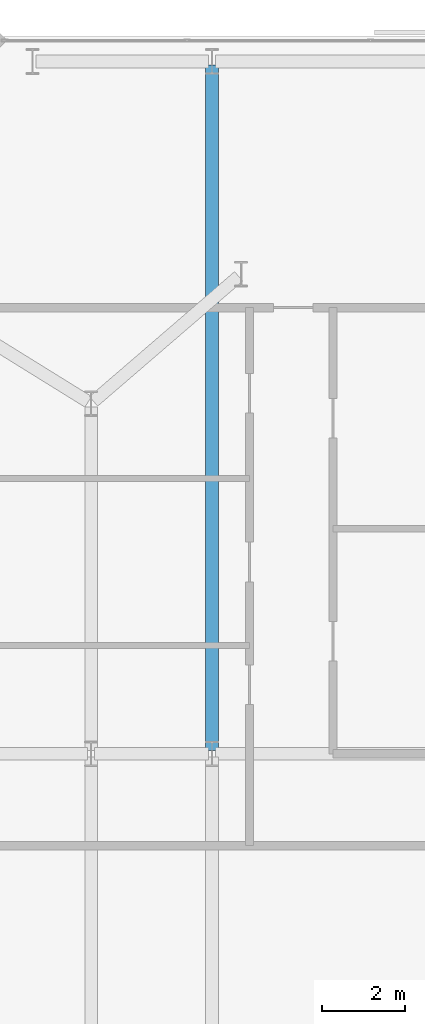
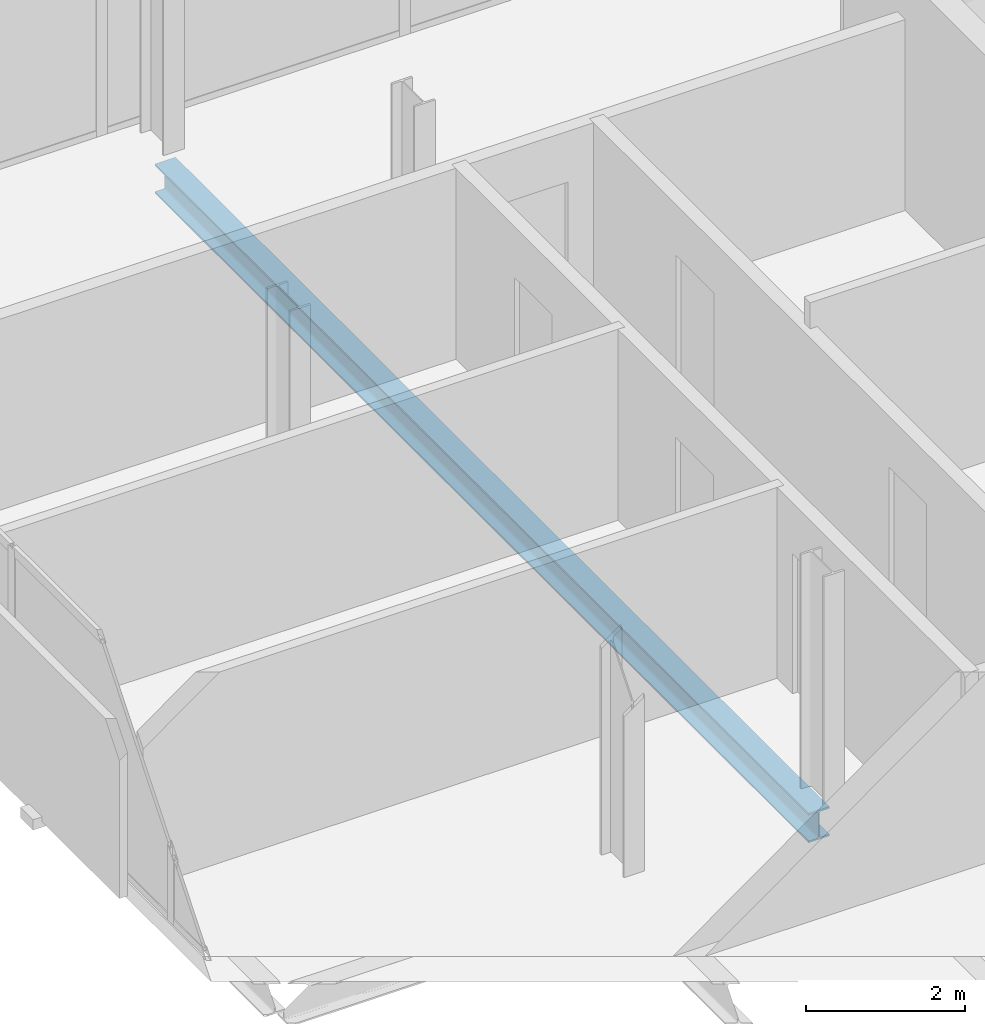
# One storey, part 18 of 32: 1 beam.
"""IFC4 building model written with IfcOpenShell, lengths in metres."""

from ifc_helpers import new_model, si_unit, direction, frame, origin, origin_2d, place, context, subcontext, project, spatial, i_section, extrude, material, material_profile, profile_set, type_object, element, save


model = new_model("IFC4")

# Units and contexts
model_context = context("Model", 3, precision=1e-05, world=origin(), true_north=direction((0.0, 1.0)))
body_context = subcontext(model_context, "Body", "Model", "MODEL_VIEW")
ifc_project = project(units=[si_unit("LENGTHUNIT", "METRE"), si_unit("AREAUNIT", "SQUARE_METRE"), si_unit("VOLUMEUNIT", "CUBIC_METRE"), si_unit("PLANEANGLEUNIT", "RADIAN"), si_unit("MASSUNIT", "GRAM", prefix="KILO")], contexts=[model_context])

# Site, building, storey
site_placement = place(None, origin())
site = spatial("IfcSite", under=ifc_project, at=site_placement, CompositionType="ELEMENT")
building_placement = place(site_placement, origin())
building = spatial("IfcBuilding", under=site, at=building_placement, Name="Catumbela Crestline Tower", CompositionType="ELEMENT")
storey_placement = place(building_placement, frame((0.0, 0.0, 133.2)))
storey = spatial("IfcBuildingStorey", under=building, at=storey_placement, Name="L34", CompositionType="ELEMENT", Elevation=133.2)

# Beam
ifc_material = material(Name="Structural steel S355J2", Category="steel")
ifc_material_profile = material_profile(ifc_material, i_section(OverallWidth=0.3, OverallDepth=0.45, WebThickness=0.014, FlangeThickness=0.026, FilletRadius=0.027, at=origin_2d()), Name="HEB 450")
ifc_profile_set = profile_set([ifc_material_profile], Name="Structural steel S355J2")
beam_type = type_object("IfcBeamType", Name="BG-HEB450", PredefinedType="BEAM", material=ifc_profile_set)
beam_placement = place(storey_placement, frame((8.5, 30.88, -0.485), z_axis=(0.0, 1.0, 0.0), x_axis=(-1.0, 0.0, 0.0)))
element("IfcBeam", 1, at=beam_placement, inside=storey, type_object=beam_type, Name="L34 Beam BM-L34-SN27", PredefinedType="BEAM", context=body_context, shape_type="SweptSolid", body=[
    extrude(i_section(OverallWidth=0.3, OverallDepth=0.45, WebThickness=0.014, FlangeThickness=0.026, FilletRadius=0.027, at=origin_2d()), origin(), (0.0, 0.0, 1.0), 16.44),
])

save(model, "model.ifc")
